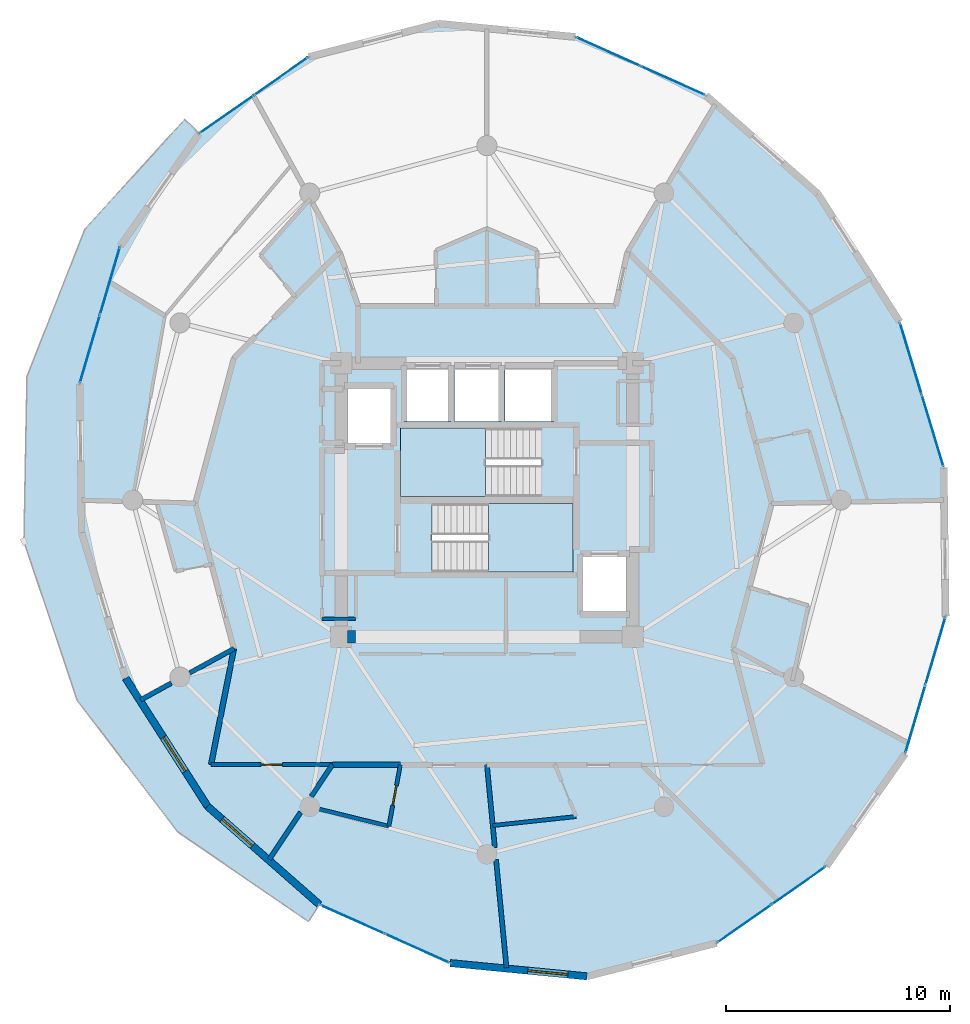
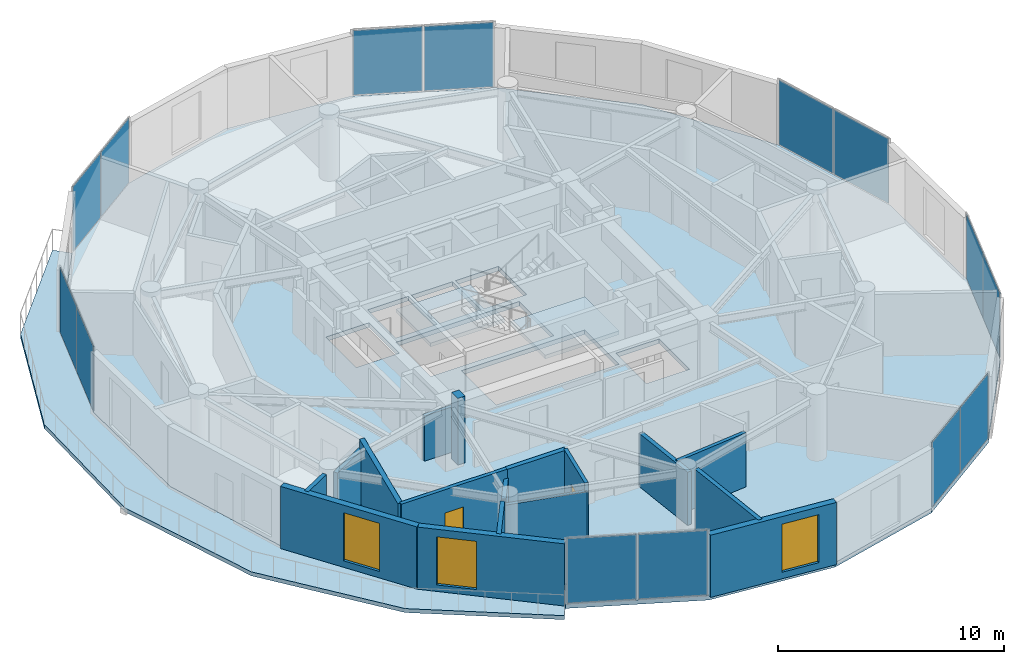
# One storey, part 15 of 21: 17 walls, 14 plates, 4 slabs, 3 windows, 2 doors, 5 openings, 9 elements without a shape of their own.
"""IFC4 building model written with IfcOpenShell, lengths in metres."""

from ifc_helpers import new_model, si_unit, direction, frame, frame_2d, origin, origin_2d, place, context, subcontext, project, spatial, polyline, rectangle, outline, extrude, source, transform, mapped, material, layer, layer_set, type_object, element, fill, aggregate, save


model = new_model("IFC4")

# Units and contexts
model_context = context("Model", 3, precision=1e-05, world=origin(), true_north=direction((0.0, 1.0)))
body_context = subcontext(model_context, "Body", "Model", "MODEL_VIEW")
ifc_project = project(units=[si_unit("LENGTHUNIT", "METRE"), si_unit("AREAUNIT", "SQUARE_METRE"), si_unit("VOLUMEUNIT", "CUBIC_METRE"), si_unit("PLANEANGLEUNIT", "RADIAN"), si_unit("MASSUNIT", "GRAM", prefix="KILO")], contexts=[model_context])

# Site, building, storey
site_placement = place(None, origin())
site = spatial("IfcSite", under=ifc_project, at=site_placement, CompositionType="ELEMENT")
building_placement = place(site_placement, origin())
building = spatial("IfcBuilding", under=site, at=building_placement, Name="Solvirekh Grand Hotel", CompositionType="ELEMENT")
storey_placement = place(building_placement, frame((0.0, 0.0, 205.60009765625)))
storey = spatial("IfcBuildingStorey", under=building, at=storey_placement, Name="L53", CompositionType="ELEMENT", Elevation=205.60009765625)

# Slab
ifc_material_1 = material(Name="Concrete C50/60", Category="concrete")
ifc_layer_1 = layer(ifc_material_1, 0.215087890625)
ifc_layer_set_1 = layer_set([ifc_layer_1], Name="Concrete C50/60")
slab_type_1 = type_object("IfcSlabType", Name="ExtCrescentBalc_215", PredefinedType="FLOOR", material=ifc_layer_set_1)
slab_1_placement = place(storey_placement, frame((0.0, 0.0, -0.215087890625)))
element("IfcSlab", 1, at=slab_1_placement, inside=storey, type_object=slab_type_1, Name="L53 sweeping crescent balcony slab", PredefinedType="FLOOR", context=body_context, shape_type="SweptSolid", body=[
    extrude(outline(polyline([(-13.470947265625, 16.969970703125), (-17.931884765625, 12.068115234375), (-20.510009765625, 5.501953125), (-20.64404296875, -1.85205078125), (-18.263916015625, -8.93798828125), (-13.782958984375, -14.800048828125), (-7.955078125, -18.797119140625), (-7.467041015625, -18.041015625), (-12.4541015625, -13.662109375), (-16.10888671875, -7.945068359375), (-18.074951171875, -1.450927734375), (-18.158935546875, 5.18505859375), (-16.35302734375, 11.31298828125), (-12.833984375, 16.3349609375), (-13.470947265625, 16.969970703125)])), origin(), (0.0, 0.0, 1.0), 0.215087890625),
])

# Stair, slab
ifc_material_2 = material(Name="Concrete C40/50", Category="concrete")
stair_type = type_object("IfcStairType", Name="Stair_Core_1450", PredefinedType="HALF_TURN_STAIR", material=ifc_material_2)
stair_1_placement = place(storey_placement, origin())
stair_1 = element("IfcStair", 2, at=stair_1_placement, inside=storey, type_object=stair_type, Name="L53 Enclosed exit stair ST-1", PredefinedType="HALF_TURN_STAIR")
ifc_layer_2 = layer(ifc_material_2, 0.199951171875)
ifc_layer_set_2 = layer_set([ifc_layer_2], Name="Concrete C40/50")
slab_type_2 = type_object("IfcSlabType", Name="Landing_Stair_200", PredefinedType="LANDING", material=ifc_layer_set_2)
slab_2_placement = place(storey_placement, frame((0.0, 0.0, 1.599853515625)))
slab_2 = element("IfcSlab", 3, at=slab_2_placement, type_object=slab_type_2, Name="ST-1 landing 1", PredefinedType="LANDING", context=body_context, shape_type="SweptSolid", body=[
    extrude(outline(polyline([(0.070068359375, -3.199951171875), (3.85009765625, -3.199951171875), (3.85009765625, -0.14990234375), (0.070068359375, -0.14990234375), (0.070068359375, -3.199951171875)])), origin(), (0.0, 0.0, 1.0), 0.199951171875),
])
aggregate(stair_1, [slab_2])

stair_2_placement = place(storey_placement, origin())
stair_2 = element("IfcStair", 4, at=stair_2_placement, inside=storey, type_object=stair_type, Name="L53 Enclosed exit stair ST-2", PredefinedType="HALF_TURN_STAIR")
slab_3_placement = place(storey_placement, frame((0.0, 0.0, 1.599853515625)))
slab_3 = element("IfcSlab", 5, at=slab_3_placement, type_object=slab_type_2, Name="ST-2 landing 1", PredefinedType="LANDING", context=body_context, shape_type="SweptSolid", body=[
    extrude(outline(polyline([(-0.070068359375, 3.199951171875), (-3.85009765625, 3.199951171875), (-3.85009765625, 0.14990234375), (-0.070068359375, 0.14990234375), (-0.070068359375, 3.199951171875)])), origin(), (0.0, 0.0, 1.0), 0.199951171875),
])
aggregate(stair_2, [slab_3])

# Slab
ifc_layer_3 = layer(ifc_material_2, 0.239990234375)
ifc_layer_set_3 = layer_set([ifc_layer_3], Name="Concrete C40/50")
slab_type_3 = type_object("IfcSlabType", Name="Slab_GuestZ3_240", PredefinedType="FLOOR", material=ifc_layer_set_3)
slab_4_placement = place(storey_placement, frame((0.0, 0.0, -0.239990234375)))
element("IfcSlab", 6, at=slab_4_placement, inside=storey, type_object=slab_type_3, Name="L53 structural floor slab", PredefinedType="FLOOR", context=body_context, shape_type="SweptSolid", body=[
    extrude(outline(polyline([(10.24609375, -19.757080078125), (15.134033203125, -16.3349609375), (18.653076171875, -11.31298828125), (20.458984375, -5.18505859375), (20.375, 1.450927734375), (18.408935546875, 7.945068359375), (14.75390625, 13.662109375), (9.76708984375, 18.041015625), (3.93603515625, 20.654052734375), (-2.1669921875, 21.2451171875), (-7.946044921875, 19.757080078125), (-12.833984375, 16.3349609375), (-16.35302734375, 11.31298828125), (-18.158935546875, 5.18505859375), (-18.074951171875, -1.450927734375), (-16.10888671875, -7.945068359375), (-12.4541015625, -13.662109375), (-7.467041015625, -18.041015625), (-1.635986328125, -20.654052734375), (4.467041015625, -21.2451171875), (10.24609375, -19.757080078125)]), holes=[polyline([(-2.444091796875, -0.14990234375), (3.85009765625, -0.14990234375), (3.85009765625, -3.199951171875), (-2.444091796875, -3.199951171875), (-2.444091796875, -0.14990234375)]), polyline([(2.444091796875, 0.14990234375), (-3.85009765625, 0.14990234375), (-3.85009765625, 3.199951171875), (2.444091796875, 3.199951171875), (2.444091796875, 0.14990234375)]), polyline([(-3.699951171875, 6.0), (-1.60009765625, 6.0), (-1.60009765625, 3.5), (-3.699951171875, 3.5), (-3.699951171875, 6.0)]), polyline([(-1.449951171875, 6.0), (0.64990234375, 6.0), (0.64990234375, 3.5), (-1.449951171875, 3.5), (-1.449951171875, 6.0)]), polyline([(0.800048828125, 6.0), (3.0, 6.0), (3.0, 3.5), (0.800048828125, 3.5), (0.800048828125, 6.0)]), polyline([(-6.35009765625, 5.10009765625), (-4.14990234375, 5.10009765625), (-4.14990234375, 2.39990234375), (-6.35009765625, 2.39990234375), (-6.35009765625, 5.10009765625)]), polyline([(4.14990234375, -2.39990234375), (6.35009765625, -2.39990234375), (6.35009765625, -5.10009765625), (4.14990234375, -5.10009765625), (4.14990234375, -2.39990234375)])]), origin(), (0.0, 0.0, 1.0), 0.239990234375),
])

# Curtain wall, plates
ifc_material_3 = material(Name="Anodized Bronze Aluminium 6063-T6", Category="aluminium")
ifc_layer_4 = layer(ifc_material_3, 0.159912109375)
ifc_layer_set_4 = layer_set([ifc_layer_4], Name="Anodized Bronze Aluminium 6063-T6")
curtain_wall_type = type_object("IfcCurtainWallType", Name="CW_Sys4_HighZoneFlushBronzeCW", PredefinedType="NOTDEFINED", material=ifc_layer_set_4)
curtain_wall_1_placement = place(storey_placement, origin())
curtain_wall_1 = element("IfcCurtainWall", 7, at=curtain_wall_1_placement, inside=storey, type_object=curtain_wall_type, Name="L53 unitised bronze-glass curtain wall CW-L53-C01", PredefinedType="NOTDEFINED")
ifc_material_4 = material(Name="Low-E Tinted Bronze Laminated Glass", Category="aluminium")
ifc_layer_5 = layer(ifc_material_4, 0.033935546875)
ifc_layer_set_5 = layer_set([ifc_layer_5], Name="Low-E Tinted Bronze Laminated Glass")
plate_type = type_object("IfcPlateType", Name="CWPanel_High_34", PredefinedType="CURTAIN_PANEL", material=ifc_layer_set_5)
shared_shape_1 = source(origin(), body_context, "Body", "SweptSolid", [
    extrude(rectangle(XDim=2.893310546875, YDim=0.033935546875, at=origin_2d()), origin(), (0.0, 0.0, 1.0), 3.489990234375),
])
plate_1_placement = place(storey_placement, frame((11.480224609375, -18.892822265625, 0.0546875), z_axis=(0.0, 0.0, 1.0), x_axis=(0.81920042507, 0.573507335233, 0.0)))
plate_1 = element("IfcPlate", 8, at=plate_1_placement, type_object=plate_type, Name="U04 panel 1.1", PredefinedType="CURTAIN_PANEL", context=body_context, shape_type="MappedRepresentation", body=[
    mapped(shared_shape_1, transform((0.0, 0.0, 0.0), x_axis=(1.0, 0.0, 0.0), y_axis=(0.0, 1.0, 0.0), z_axis=(0.0, 0.0, 1.0), scale=1.0)),
])
plate_2_placement = place(storey_placement, frame((13.899658203125, -17.19921875, 0.0546875), z_axis=(0.0, 0.0, 1.0), x_axis=(0.81920042507, 0.573507335233, 0.0)))
plate_2 = element("IfcPlate", 9, at=plate_2_placement, type_object=plate_type, Name="U04 panel 2.1", PredefinedType="CURTAIN_PANEL", context=body_context, shape_type="MappedRepresentation", body=[
    mapped(shared_shape_1, transform((0.0, 0.0, 0.0), x_axis=(1.0, 0.0, 0.0), y_axis=(0.0, 1.0, 0.0), z_axis=(0.0, 0.0, 1.0), scale=1.0)),
])
aggregate(curtain_wall_1, [plate_1, plate_2])

curtain_wall_2_placement = place(storey_placement, origin())
curtain_wall_2 = element("IfcCurtainWall", 10, at=curtain_wall_2_placement, inside=storey, type_object=curtain_wall_type, Name="L53 unitised bronze-glass curtain wall CW-L53-C11", PredefinedType="NOTDEFINED")
plate_3_placement = place(storey_placement, frame((-9.18017578125, 18.892822265625, 0.0546875), z_axis=(0.0, 0.0, 1.0), x_axis=(-0.81920042507, -0.573507335233, 0.0)))
plate_3 = element("IfcPlate", 11, at=plate_3_placement, type_object=plate_type, Name="U04 panel 1.1", PredefinedType="CURTAIN_PANEL", context=body_context, shape_type="MappedRepresentation", body=[
    mapped(shared_shape_1, transform((0.0, 0.0, 0.0), x_axis=(1.0, 0.0, 0.0), y_axis=(0.0, 1.0, 0.0), z_axis=(0.0, 0.0, 1.0), scale=1.0)),
])
plate_4_placement = place(storey_placement, frame((-11.599609375, 17.19921875, 0.0546875), z_axis=(0.0, 0.0, 1.0), x_axis=(-0.81920042507, -0.573507335233, 0.0)))
plate_4 = element("IfcPlate", 12, at=plate_4_placement, type_object=plate_type, Name="U04 panel 2.1", PredefinedType="CURTAIN_PANEL", context=body_context, shape_type="MappedRepresentation", body=[
    mapped(shared_shape_1, transform((0.0, 0.0, 0.0), x_axis=(1.0, 0.0, 0.0), y_axis=(0.0, 1.0, 0.0), z_axis=(0.0, 0.0, 1.0), scale=1.0)),
])
aggregate(curtain_wall_2, [plate_3, plate_4])

curtain_wall_3_placement = place(storey_placement, origin())
curtain_wall_3 = element("IfcCurtainWall", 13, at=curtain_wall_3_placement, inside=storey, type_object=curtain_wall_type, Name="L53 unitised bronze-glass curtain wall CW-L53-C08", PredefinedType="NOTDEFINED")
shared_shape_2 = source(origin(), body_context, "Body", "SweptSolid", [
    extrude(rectangle(XDim=3.104736328125, YDim=0.033935546875, at=origin_2d()), origin(), (0.0, 0.0, 1.0), 3.489990234375),
])
plate_5_placement = place(storey_placement, frame((8.295654296875, 18.700439453125, 0.0546875), z_axis=(0.0, 0.0, 1.0), x_axis=(-0.912561690888, 0.40893906676, 0.0)))
plate_5 = element("IfcPlate", 14, at=plate_5_placement, type_object=plate_type, Name="U04 panel 1.1", PredefinedType="CURTAIN_PANEL", context=body_context, shape_type="MappedRepresentation", body=[
    mapped(shared_shape_2, transform((0.0, 0.0, 0.0), x_axis=(1.0, 0.0, 0.0), y_axis=(0.0, 1.0, 0.0), z_axis=(0.0, 0.0, 1.0), scale=1.0)),
])
plate_6_placement = place(storey_placement, frame((5.407470703125, 19.99462890625, 0.0546875), z_axis=(0.0, 0.0, 1.0), x_axis=(-0.912561690888, 0.40893906676, 0.0)))
plate_6 = element("IfcPlate", 15, at=plate_6_placement, type_object=plate_type, Name="U04 panel 2.1", PredefinedType="CURTAIN_PANEL", context=body_context, shape_type="MappedRepresentation", body=[
    mapped(shared_shape_2, transform((0.0, 0.0, 0.0), x_axis=(1.0, 0.0, 0.0), y_axis=(0.0, 1.0, 0.0), z_axis=(0.0, 0.0, 1.0), scale=1.0)),
])
aggregate(curtain_wall_3, [plate_5, plate_6])

curtain_wall_4_placement = place(storey_placement, origin())
curtain_wall_4 = element("IfcCurtainWall", 16, at=curtain_wall_4_placement, inside=storey, type_object=curtain_wall_type, Name="L53 unitised bronze-glass curtain wall CW-L53-C18", PredefinedType="NOTDEFINED")
plate_7_placement = place(storey_placement, frame((-5.99560546875, -18.700439453125, 0.0546875), z_axis=(0.0, 0.0, 1.0), x_axis=(0.912561690888, -0.40893906676, 0.0)))
plate_7 = element("IfcPlate", 17, at=plate_7_placement, type_object=plate_type, Name="U04 panel 1.1", PredefinedType="CURTAIN_PANEL", context=body_context, shape_type="MappedRepresentation", body=[
    mapped(shared_shape_2, transform((0.0, 0.0, 0.0), x_axis=(1.0, 0.0, 0.0), y_axis=(0.0, 1.0, 0.0), z_axis=(0.0, 0.0, 1.0), scale=1.0)),
])
plate_8_placement = place(storey_placement, frame((-3.107421875, -19.99462890625, 0.0546875), z_axis=(0.0, 0.0, 1.0), x_axis=(0.912561690888, -0.40893906676, 0.0)))
plate_8 = element("IfcPlate", 18, at=plate_8_placement, type_object=plate_type, Name="U04 panel 2.1", PredefinedType="CURTAIN_PANEL", context=body_context, shape_type="MappedRepresentation", body=[
    mapped(shared_shape_2, transform((0.0, 0.0, 0.0), x_axis=(1.0, 0.0, 0.0), y_axis=(0.0, 1.0, 0.0), z_axis=(0.0, 0.0, 1.0), scale=1.0)),
])
aggregate(curtain_wall_4, [plate_7, plate_8])

curtain_wall_5_placement = place(storey_placement, origin())
curtain_wall_5 = element("IfcCurtainWall", 19, at=curtain_wall_5_placement, inside=storey, type_object=curtain_wall_type, Name="L53 unitised bronze-glass curtain wall CW-L53-C05", PredefinedType="NOTDEFINED")
shared_shape_3 = source(origin(), body_context, "Body", "SweptSolid", [
    extrude(rectangle(XDim=3.302490234375, YDim=0.033935546875, at=origin_2d()), origin(), (0.0, 0.0, 1.0), 3.489990234375),
])
plate_9_placement = place(storey_placement, frame((19.879150390625, 3.0888671875, 0.0546875), z_axis=(0.0, 0.0, 1.0), x_axis=(-0.289753773349, 0.957101222876, 0.0)))
plate_9 = element("IfcPlate", 20, at=plate_9_placement, type_object=plate_type, Name="U04 panel 1.1", PredefinedType="CURTAIN_PANEL", context=body_context, shape_type="MappedRepresentation", body=[
    mapped(shared_shape_3, transform((0.0, 0.0, 0.0), x_axis=(1.0, 0.0, 0.0), y_axis=(0.0, 1.0, 0.0), z_axis=(0.0, 0.0, 1.0), scale=1.0)),
])
plate_10_placement = place(storey_placement, frame((18.90478515625, 6.30712890625, 0.0546875), z_axis=(0.0, 0.0, 1.0), x_axis=(-0.289753773349, 0.957101222876, 0.0)))
plate_10 = element("IfcPlate", 21, at=plate_10_placement, type_object=plate_type, Name="U04 panel 2.1", PredefinedType="CURTAIN_PANEL", context=body_context, shape_type="MappedRepresentation", body=[
    mapped(shared_shape_3, transform((0.0, 0.0, 0.0), x_axis=(1.0, 0.0, 0.0), y_axis=(0.0, 1.0, 0.0), z_axis=(0.0, 0.0, 1.0), scale=1.0)),
])
aggregate(curtain_wall_5, [plate_9, plate_10])

curtain_wall_6_placement = place(storey_placement, origin())
curtain_wall_6 = element("IfcCurtainWall", 22, at=curtain_wall_6_placement, inside=storey, type_object=curtain_wall_type, Name="L53 unitised bronze-glass curtain wall CW-L53-C03", PredefinedType="NOTDEFINED")
shared_shape_4 = source(origin(), body_context, "Body", "SweptSolid", [
    extrude(rectangle(XDim=3.104248046875, YDim=0.033935546875, at=origin_2d()), origin(), (0.0, 0.0, 1.0), 3.489990234375),
])
plate_11_placement = place(storey_placement, frame((19.108642578125, -9.7666015625, 0.0546875), z_axis=(0.0, 0.0, 1.0), x_axis=(0.282691701277, 0.959210822515, 0.0)))
plate_11 = element("IfcPlate", 23, at=plate_11_placement, type_object=plate_type, Name="U04 panel 1.1", PredefinedType="CURTAIN_PANEL", context=body_context, shape_type="MappedRepresentation", body=[
    mapped(shared_shape_4, transform((0.0, 0.0, 0.0), x_axis=(1.0, 0.0, 0.0), y_axis=(0.0, 1.0, 0.0), z_axis=(0.0, 0.0, 1.0), scale=1.0)),
])
plate_12_placement = place(storey_placement, frame((20.003173828125, -6.7314453125, 0.0546875), z_axis=(0.0, 0.0, 1.0), x_axis=(0.282691701277, 0.959210822515, 0.0)))
plate_12 = element("IfcPlate", 24, at=plate_12_placement, type_object=plate_type, Name="U04 panel 2.1", PredefinedType="CURTAIN_PANEL", context=body_context, shape_type="MappedRepresentation", body=[
    mapped(shared_shape_4, transform((0.0, 0.0, 0.0), x_axis=(1.0, 0.0, 0.0), y_axis=(0.0, 1.0, 0.0), z_axis=(0.0, 0.0, 1.0), scale=1.0)),
])
aggregate(curtain_wall_6, [plate_11, plate_12])

curtain_wall_7_placement = place(storey_placement, origin())
curtain_wall_7 = element("IfcCurtainWall", 25, at=curtain_wall_7_placement, inside=storey, type_object=curtain_wall_type, Name="L53 unitised bronze-glass curtain wall CW-L53-C13", PredefinedType="NOTDEFINED")
plate_13_placement = place(storey_placement, frame((-16.808837890625, 9.7666015625, 0.0546875), z_axis=(0.0, 0.0, 1.0), x_axis=(-0.282691701277, -0.959210822515, 0.0)))
plate_13 = element("IfcPlate", 26, at=plate_13_placement, type_object=plate_type, Name="U04 panel 1.1", PredefinedType="CURTAIN_PANEL", context=body_context, shape_type="MappedRepresentation", body=[
    mapped(shared_shape_4, transform((0.0, 0.0, 0.0), x_axis=(1.0, 0.0, 0.0), y_axis=(0.0, 1.0, 0.0), z_axis=(0.0, 0.0, 1.0), scale=1.0)),
])
plate_14_placement = place(storey_placement, frame((-17.703369140625, 6.7314453125, 0.0546875), z_axis=(0.0, 0.0, 1.0), x_axis=(-0.282691701277, -0.959210822515, 0.0)))
plate_14 = element("IfcPlate", 27, at=plate_14_placement, type_object=plate_type, Name="U04 panel 2.1", PredefinedType="CURTAIN_PANEL", context=body_context, shape_type="MappedRepresentation", body=[
    mapped(shared_shape_4, transform((0.0, 0.0, 0.0), x_axis=(1.0, 0.0, 0.0), y_axis=(0.0, 1.0, 0.0), z_axis=(0.0, 0.0, 1.0), scale=1.0)),
])
aggregate(curtain_wall_7, [plate_13, plate_14])

# Wall
ifc_layer_6 = layer(ifc_material_1, 0.550048828125)
ifc_layer_set_6 = layer_set([ifc_layer_6], Name="Concrete C50/60")
wall_type_1 = type_object("IfcWallType", Name="CoreWall_RC550", PredefinedType="SHEAR", material=ifc_layer_set_6)
wall_1_placement = place(storey_placement, frame((-6.22509765625, -6.10009765625, 0.0), z_axis=(0.0, 0.0, 1.0), x_axis=(1.0, 0.0, 0.0)))
element("IfcWall", 28, at=wall_1_placement, inside=storey, type_object=wall_type_1, Name="L53 core corner shear wall SW-S", PredefinedType="SHEAR", context=body_context, shape_type="SweptSolid", body=[
    extrude(rectangle(XDim=0.375, YDim=0.550048828125, at=frame_2d((0.1875, 0.0))), origin(), (0.0, 0.0, 1.0), 3.599853515625),
])

# Wall, opening, window
ifc_material_5 = material(Name="Precast concrete C45/55", Category="concrete")
ifc_layer_7 = layer(ifc_material_5, 0.320068359375)
ifc_layer_set_7 = layer_set([ifc_layer_7], Name="Precast concrete C45/55")
wall_type_2 = type_object("IfcWallType", Name="ExtLobbyWall_RC320", PredefinedType="SOLIDWALL", material=ifc_layer_set_7)
wall_2_placement = place(storey_placement, frame((-12.4541015625, -13.662109375, 0.0), z_axis=(0.0, 0.0, 1.0), x_axis=(-0.538622762642, 0.842547042938, 0.0)))
wall_2 = element("IfcWall", 29, at=wall_2_placement, inside=storey, type_object=wall_type_2, Name="L53 exterior structural wall chord 16", PredefinedType="SOLIDWALL", context=body_context, shape_type="SweptSolid", body=[
    extrude(rectangle(XDim=6.785400390625, YDim=0.320068359375, at=frame_2d((3.392578125, 0.0))), origin(), (0.0, 0.0, 1.0), 3.35986328125),
])
opening_1_placement = place(wall_2_placement, frame((1.85400390625, 0.0, 0.35009765625)))
opening_1 = element("IfcOpeningElement", 30, at=opening_1_placement, cuts=wall_2, Name="Opening W02", PredefinedType="OPENING", context=body_context, shape_type="SweptSolid", body=[
    extrude(rectangle(XDim=1.800048828125, YDim=2.60009765625, at=frame_2d((0.89990234375, 1.300048828125))), frame((0.0, 0.169921875, 0.0), z_axis=(0.0, -1.0, 0.0), x_axis=(1.0, 0.0, 0.0)), (0.0, 0.0, 1.0), 0.340087890625),
])
window_type = type_object("IfcWindowType", Name="Win_LobbyExt_1800X2600", PartitioningType="SINGLE_PANEL", PredefinedType="WINDOW", material=ifc_material_4)
window_1_placement = place(opening_1_placement, origin())
window_1 = element("IfcWindow", 31, at=window_1_placement, inside=storey, type_object=window_type, Name="L53 panoramic bronze-framed window 16", OverallHeight=2.60009765625, OverallWidth=1.800048828125, PartitioningType="SINGLE_PANEL", PredefinedType="WINDOW", context=body_context, shape_type="SweptSolid", body=[
    extrude(rectangle(XDim=1.800048828125, YDim=2.60009765625, at=frame_2d((0.89990234375, 1.300048828125))), frame((0.0, 0.030029296875, 0.0), z_axis=(0.0, -1.0, 0.0), x_axis=(1.0, 0.0, 0.0)), (0.0, 0.0, 1.0), 0.06005859375),
])
fill(opening_1, window_1)

wall_3_placement = place(storey_placement, frame((-7.467041015625, -18.041015625, 0.0), z_axis=(0.0, 0.0, 1.0), x_axis=(-0.751438445652, 0.659803199746, 0.0)))
wall_3 = element("IfcWall", 32, at=wall_3_placement, inside=storey, type_object=wall_type_2, Name="L53 exterior structural wall chord 17", PredefinedType="SOLIDWALL", context=body_context, shape_type="SweptSolid", body=[
    extrude(rectangle(XDim=6.63671875, YDim=0.320068359375, at=frame_2d((3.318359375, 0.0))), origin(), (0.0, 0.0, 1.0), 3.35986328125),
])
opening_2_placement = place(wall_3_placement, frame((3.97412109375, 0.0, 0.35009765625)))
opening_2 = element("IfcOpeningElement", 33, at=opening_2_placement, cuts=wall_3, Name="Opening W02", PredefinedType="OPENING", context=body_context, shape_type="SweptSolid", body=[
    extrude(rectangle(XDim=1.800048828125, YDim=2.60009765625, at=frame_2d((0.89990234375, 1.300048828125))), frame((0.0, 0.169921875, 0.0), z_axis=(0.0, -1.0, 0.0), x_axis=(1.0, 0.0, 0.0)), (0.0, 0.0, 1.0), 0.340087890625),
])
window_2_placement = place(opening_2_placement, origin())
window_2 = element("IfcWindow", 34, at=window_2_placement, inside=storey, type_object=window_type, Name="L53 panoramic bronze-framed window 17", OverallHeight=2.60009765625, OverallWidth=1.800048828125, PartitioningType="SINGLE_PANEL", PredefinedType="WINDOW", context=body_context, shape_type="SweptSolid", body=[
    extrude(rectangle(XDim=1.800048828125, YDim=2.60009765625, at=frame_2d((0.89990234375, 1.300048828125))), frame((0.0, 0.030029296875, 0.0), z_axis=(0.0, -1.0, 0.0), x_axis=(1.0, 0.0, 0.0)), (0.0, 0.0, 1.0), 0.06005859375),
])
fill(opening_2, window_2)

wall_4_placement = place(storey_placement, frame((4.467041015625, -21.2451171875, 0.0), z_axis=(0.0, 0.0, 1.0), x_axis=(-0.995342991644, 0.096396727049, 0.0)))
wall_4 = element("IfcWall", 35, at=wall_4_placement, inside=storey, type_object=wall_type_2, Name="L53 exterior structural wall chord 19", PredefinedType="SOLIDWALL", context=body_context, shape_type="SweptSolid", body=[
    extrude(rectangle(XDim=6.131591796875, YDim=0.320068359375, at=frame_2d((3.06591796875, 0.0))), origin(), (0.0, 0.0, 1.0), 3.35986328125),
])
opening_3_placement = place(wall_4_placement, frame((0.85693359375, 0.0, 0.35009765625)))
opening_3 = element("IfcOpeningElement", 36, at=opening_3_placement, cuts=wall_4, Name="Opening W02", PredefinedType="OPENING", context=body_context, shape_type="SweptSolid", body=[
    extrude(rectangle(XDim=1.800048828125, YDim=2.60009765625, at=frame_2d((0.89990234375, 1.300048828125))), frame((0.0, 0.169921875, 0.0), z_axis=(0.0, -1.0, 0.0), x_axis=(1.0, 0.0, 0.0)), (0.0, 0.0, 1.0), 0.340087890625),
])
window_3_placement = place(opening_3_placement, origin())
window_3 = element("IfcWindow", 37, at=window_3_placement, inside=storey, type_object=window_type, Name="L53 panoramic bronze-framed window 19", OverallHeight=2.60009765625, OverallWidth=1.800048828125, PartitioningType="SINGLE_PANEL", PredefinedType="WINDOW", context=body_context, shape_type="SweptSolid", body=[
    extrude(rectangle(XDim=1.800048828125, YDim=2.60009765625, at=frame_2d((0.89990234375, 1.300048828125))), frame((0.0, 0.030029296875, 0.0), z_axis=(0.0, -1.0, 0.0), x_axis=(1.0, 0.0, 0.0)), (0.0, 0.0, 1.0), 0.06005859375),
])
fill(opening_3, window_3)

# Walls
ifc_material_6 = material(Name="Acoustic Gypsum Partition Assembly")
ifc_layer_8 = layer(ifc_material_6, 0.1650390625)
ifc_layer_set_8 = layer_set([ifc_layer_8], Name="Acoustic Gypsum Partition Assembly")
wall_type_3 = type_object("IfcWallType", Name="Part_BOH_165", PredefinedType="PARTITIONING", material=ifc_layer_set_8)
wall_5_placement = place(storey_placement, frame((-7.35009765625, -5.300048828125, 0.0), z_axis=(0.0, 0.0, 1.0), x_axis=(1.0, 0.0, 0.0)))
element("IfcWall", 38, at=wall_5_placement, inside=storey, type_object=wall_type_3, Name="L53 L53 Butler Service Closet wall 1", PredefinedType="PARTITIONING", context=body_context, shape_type="SweptSolid", body=[
    extrude(rectangle(XDim=1.5, YDim=0.1650390625, at=frame_2d((0.75, 0.0))), origin(), (0.0, 0.0, 1.0), 2.44482421875),
])
ifc_layer_9 = layer(ifc_material_6, 0.239990234375)
ifc_layer_set_9 = layer_set([ifc_layer_9], Name="Acoustic Gypsum Partition Assembly")
wall_type_4 = type_object("IfcWallType", Name="Part_Corridor_240", PredefinedType="PARTITIONING", material=ifc_layer_set_9)
wall_6_placement = place(storey_placement, frame((-11.278076171875, -6.625, 0.0), z_axis=(0.0, 0.0, 1.0), x_axis=(-0.193739123744, -0.981053083136, 0.0)))
element("IfcWall", 39, at=wall_6_placement, inside=storey, type_object=wall_type_4, Name="L53 L53 Diplomatic Resident Lounge corridor wall 1", PredefinedType="PARTITIONING", context=body_context, shape_type="SweptSolid", body=[
    extrude(rectangle(XDim=5.27490234375, YDim=0.239990234375, at=frame_2d((2.637451171875, 0.0))), origin(), (0.0, 0.0, 1.0), 3.35986328125),
])
wall_7_placement = place(storey_placement, frame((-6.887939453125, -11.800048828125, 0.0), z_axis=(0.0, 0.0, 1.0), x_axis=(1.0, 0.0, 0.0)))
element("IfcWall", 40, at=wall_7_placement, inside=storey, type_object=wall_type_4, Name="L53 En-suite Bathroom 5507 corridor backing wall", PredefinedType="PARTITIONING", context=body_context, shape_type="SweptSolid", body=[
    extrude(rectangle(XDim=3.031005859375, YDim=0.239990234375, at=frame_2d((1.515625, 0.0))), origin(), (0.0, 0.0, 1.0), 3.35986328125),
])

# Wall, opening, door
ifc_layer_10 = layer(ifc_material_6, 0.18994140625)
ifc_layer_set_10 = layer_set([ifc_layer_10], Name="Acoustic Gypsum Partition Assembly")
wall_type_5 = type_object("IfcWallType", Name="Part_GuestDemise_190", PredefinedType="PARTITIONING", material=ifc_layer_set_10)
wall_8_placement = place(storey_placement, frame((-12.300048828125, -11.800048828125, 0.0), z_axis=(0.0, 0.0, 1.0), x_axis=(1.0, 0.0, 0.0)))
wall_8 = element("IfcWall", 41, at=wall_8_placement, inside=storey, type_object=wall_type_5, Name="L53 L53 Diplomatic Resident Lounge entrance wall", PredefinedType="PARTITIONING", context=body_context, shape_type="SweptSolid", body=[
    extrude(rectangle(XDim=5.412109375, YDim=0.18994140625, at=frame_2d((2.7060546875, 0.0))), origin(), (0.0, 0.0, 1.0), 3.35986328125),
])
opening_4_placement = place(wall_8_placement, frame((2.23095703125, 0.0, 0.0)))
opening_4 = element("IfcOpeningElement", 42, at=opening_4_placement, cuts=wall_8, Name="Opening D10", PredefinedType="OPENING", context=body_context, shape_type="SweptSolid", body=[
    extrude(rectangle(XDim=0.949951171875, YDim=2.10009765625, at=frame_2d((0.47509765625, 1.050048828125))), frame((0.0, 0.10498046875, 0.0), z_axis=(0.0, -1.0, 0.0), x_axis=(1.0, 0.0, 0.0)), (0.0, 0.0, 1.0), 0.2099609375),
])
door_type_1 = type_object("IfcDoorType", Name="Door_RoomInt_950X2100", OperationType="NOTDEFINED", PredefinedType="DOOR", material=ifc_material_3)
door_1_placement = place(opening_4_placement, origin())
door_1 = element("IfcDoor", 43, at=door_1_placement, inside=storey, type_object=door_type_1, Name="L53 L53 Diplomatic Resident Lounge entrance door", OperationType="SINGLE_SWING_LEFT", OverallHeight=2.10009765625, OverallWidth=0.949951171875, PredefinedType="DOOR", context=body_context, shape_type="SweptSolid", body=[
    extrude(rectangle(XDim=0.949951171875, YDim=2.10009765625, at=frame_2d((0.47509765625, 1.050048828125))), frame((0.0, 0.02490234375, 0.0), z_axis=(0.0, -1.0, 0.0), x_axis=(1.0, 0.0, 0.0)), (0.0, 0.0, 1.0), 0.050048828125),
])
fill(opening_4, door_1)

# Walls
ifc_layer_11 = layer(ifc_material_6, 0.2099609375)
ifc_layer_set_11 = layer_set([ifc_layer_11], Name="Acoustic Gypsum Partition Assembly")
wall_type_6 = type_object("IfcWallType", Name="Part_SuiteDemise_210", PredefinedType="PARTITIONING", material=ifc_layer_set_11)
wall_9_placement = place(storey_placement, frame((-11.278076171875, -6.625, 0.0), z_axis=(0.0, 0.0, 1.0), x_axis=(-0.876259360779, -0.481839737513, 0.0)))
element("IfcWall", 44, at=wall_9_placement, inside=storey, type_object=wall_type_6, Name="L53 suite radial wall 8 (A)", PredefinedType="PARTITIONING", context=body_context, shape_type="SweptSolid", body=[
    extrude(rectangle(XDim=2.253662109375, YDim=0.2099609375, at=frame_2d((1.126953125, 0.0))), origin(), (0.0, 0.0, 1.0), 2.876953125),
])
wall_10_placement = place(storey_placement, frame((-14.072998046875, -8.162109375, 0.0), z_axis=(0.0, 0.0, 1.0), x_axis=(-0.876060708042, -0.482200825201, 0.0)))
element("IfcWall", 45, at=wall_10_placement, inside=storey, type_object=wall_type_6, Name="L53 suite radial wall 8 (B)", PredefinedType="PARTITIONING", context=body_context, shape_type="SweptSolid", body=[
    extrude(rectangle(XDim=1.5615234375, YDim=0.2099609375, at=frame_2d((0.78076171875, 0.0))), origin(), (0.0, 0.0, 1.0), 3.35986328125),
])
wall_11_placement = place(storey_placement, frame((-6.887939453125, -11.800048828125, 0.0), z_axis=(0.0, 0.0, 1.0), x_axis=(-0.554601004854, -0.832116413379, 0.0)))
element("IfcWall", 46, at=wall_11_placement, inside=storey, type_object=wall_type_6, Name="L53 L53 Diplomatic Resident Lounge dividing partition 1 (A)", PredefinedType="PARTITIONING", context=body_context, shape_type="SweptSolid", body=[
    extrude(rectangle(XDim=1.7041015625, YDim=0.2099609375, at=frame_2d((0.85205078125, 0.0))), origin(), (0.0, 0.0, 1.0), 2.876953125),
])
wall_12_placement = place(storey_placement, frame((-8.303955078125, -13.924072265625, 0.0), z_axis=(0.0, 0.0, 1.0), x_axis=(-0.55476716384, -0.832005645368, 0.0)))
element("IfcWall", 47, at=wall_12_placement, inside=storey, type_object=wall_type_6, Name="L53 L53 Diplomatic Resident Lounge dividing partition 1 (B)", PredefinedType="PARTITIONING", context=body_context, shape_type="SweptSolid", body=[
    extrude(rectangle(XDim=2.52392578125, YDim=0.2099609375, at=frame_2d((1.261962890625, 0.0))), origin(), (0.0, 0.0, 1.0), 3.35986328125),
])
wall_13_placement = place(storey_placement, frame((0.0, -11.800048828125, 0.0), z_axis=(0.0, 0.0, 1.0), x_axis=(0.095920499629, -0.995388998207, 0.0)))
element("IfcWall", 48, at=wall_13_placement, inside=storey, type_object=wall_type_6, Name="L53 Deluxe Guestroom 5507 dividing partition 1 (A)", PredefinedType="PARTITIONING", context=body_context, shape_type="SweptSolid", body=[
    extrude(rectangle(XDim=3.7109375, YDim=0.2099609375, at=frame_2d((1.85546875, 0.0))), origin(), (0.0, 0.0, 1.0), 2.876953125),
])
wall_14_placement = place(storey_placement, frame((0.407958984375, -16.032958984375, 0.0), z_axis=(0.0, 0.0, 1.0), x_axis=(0.096166420333, -0.995365269436, 0.0)))
element("IfcWall", 49, at=wall_14_placement, inside=storey, type_object=wall_type_6, Name="L53 Deluxe Guestroom 5507 dividing partition 1 (B)", PredefinedType="PARTITIONING", context=body_context, shape_type="SweptSolid", body=[
    extrude(rectangle(XDim=4.846435546875, YDim=0.2099609375, at=frame_2d((2.42333984375, 0.0))), origin(), (0.0, 0.0, 1.0), 3.35986328125),
])
ifc_layer_12 = layer(ifc_material_6, 0.175048828125)
ifc_layer_set_12 = layer_set([ifc_layer_12], Name="Acoustic Gypsum Partition Assembly")
wall_type_7 = type_object("IfcWallType", Name="Plumb_Ensuite_175", PredefinedType="PLUMBINGWALL", material=ifc_layer_set_12)
wall_15_placement = place(storey_placement, frame((-8.10791015625, -13.631103515625, 0.0), z_axis=(0.0, 0.0, 1.0), x_axis=(0.97090688322, -0.23945735344, 0.0)))
element("IfcWall", 50, at=wall_15_placement, inside=storey, type_object=wall_type_7, Name="L53 En-suite Bathroom 5507 outer plumbing wall", PredefinedType="PLUMBINGWALL", context=body_context, shape_type="SweptSolid", body=[
    extrude(rectangle(XDim=3.845703125, YDim=0.175048828125, at=frame_2d((1.9228515625, 0.0))), origin(), (0.0, 0.0, 1.0), 2.928955078125),
])

# Wall, opening, door
wall_16_placement = place(storey_placement, frame((-3.85693359375, -11.800048828125, 0.0), z_axis=(0.0, 0.0, 1.0), x_axis=(-0.184667549296, -0.982801046111, 0.0)))
wall_16 = element("IfcWall", 51, at=wall_16_placement, inside=storey, type_object=wall_type_7, Name="L53 En-suite Bathroom 5507 entry plumbing wall", PredefinedType="PLUMBINGWALL", context=body_context, shape_type="SweptSolid", body=[
    extrude(rectangle(XDim=2.800048828125, YDim=0.175048828125, at=frame_2d((1.39990234375, 0.0))), origin(), (0.0, 0.0, 1.0), 3.35986328125),
])
opening_5_placement = place(wall_16_placement, frame((0.949951171875, 0.0, 0.0)))
opening_5 = element("IfcOpeningElement", 52, at=opening_5_placement, cuts=wall_16, Name="Opening D09", PredefinedType="OPENING", context=body_context, shape_type="SweptSolid", body=[
    extrude(rectangle(XDim=0.89990234375, YDim=2.10009765625, at=frame_2d((0.449951171875, 1.050048828125))), frame((0.0, 0.09765625, 0.0), z_axis=(0.0, -1.0, 0.0), x_axis=(1.0, 0.0, 0.0)), (0.0, 0.0, 1.0), 0.195068359375),
])
door_type_2 = type_object("IfcDoorType", Name="Door_Ensuite_900X2100", OperationType="NOTDEFINED", PredefinedType="DOOR", material=ifc_material_3)
door_2_placement = place(opening_5_placement, origin())
door_2 = element("IfcDoor", 53, at=door_2_placement, inside=storey, type_object=door_type_2, Name="L53 En-suite Bathroom 5507 door", OperationType="SINGLE_SWING_RIGHT", OverallHeight=2.10009765625, OverallWidth=0.89990234375, PredefinedType="DOOR", context=body_context, shape_type="SweptSolid", body=[
    extrude(rectangle(XDim=0.89990234375, YDim=2.10009765625, at=frame_2d((0.449951171875, 1.050048828125))), frame((0.0, 0.02490234375, 0.0), z_axis=(0.0, -1.0, 0.0), x_axis=(1.0, 0.0, 0.0)), (0.0, 0.0, 1.0), 0.050048828125),
])
fill(opening_5, door_2)

# Wall
wall_17_placement = place(storey_placement, frame((0.261962890625, -14.51708984375, 0.0), z_axis=(0.0, 0.0, 1.0), x_axis=(0.994224578558, 0.10731955736, 0.0)))
element("IfcWall", 54, at=wall_17_placement, inside=storey, type_object=wall_type_7, Name="L53 En-suite Bathroom 5508 outer plumbing wall", PredefinedType="PLUMBINGWALL", context=body_context, shape_type="SweptSolid", body=[
    extrude(rectangle(XDim=3.737548828125, YDim=0.175048828125, at=frame_2d((1.86865234375, 0.0))), origin(), (0.0, 0.0, 1.0), 2.928955078125),
])

save(model, "model.ifc")
